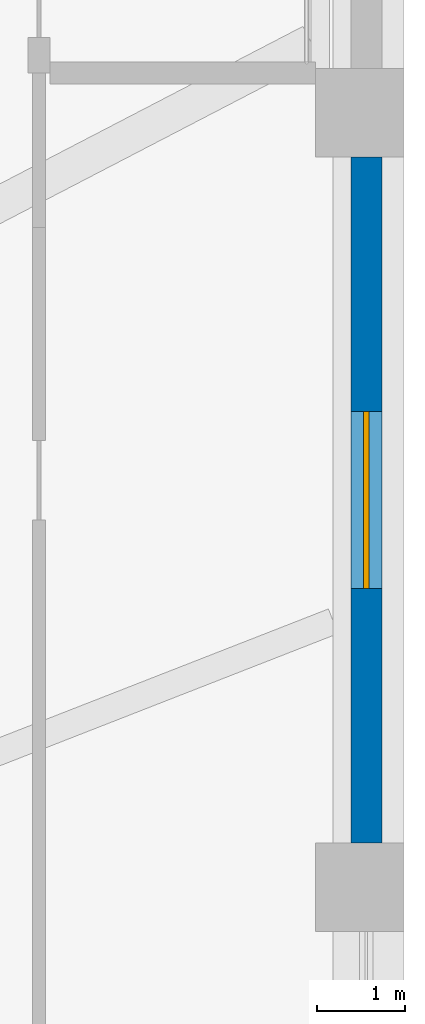
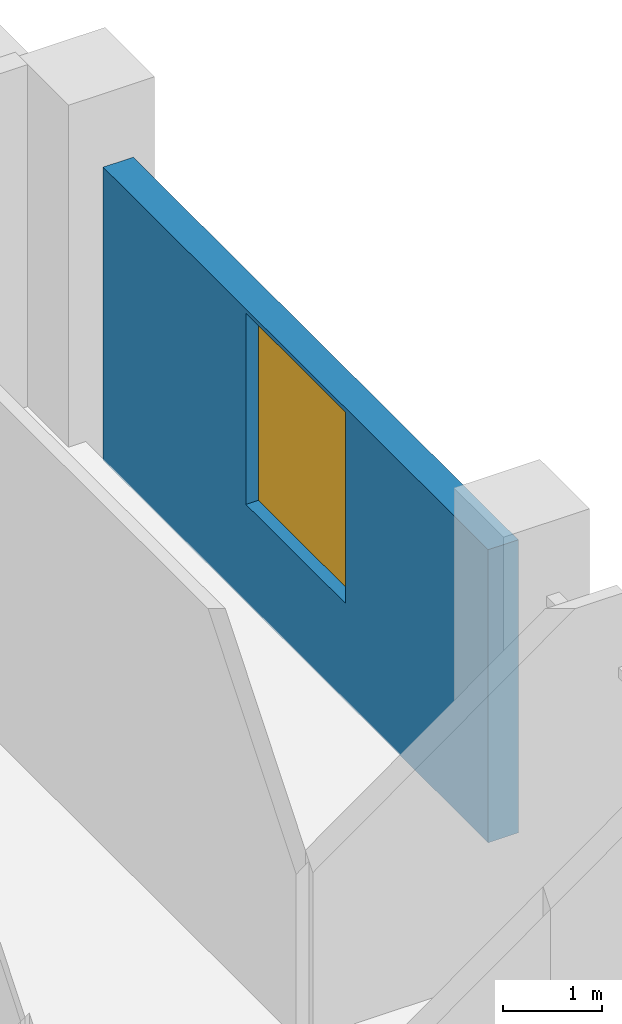
# One storey, part 21 of 29: 1 wall, 1 window, 1 opening.
"""IFC4 building model written with IfcOpenShell, lengths in metres."""

from ifc_helpers import new_model, si_unit, direction, frame, frame_2d, origin, place, context, subcontext, project, spatial, rectangle, extrude, material, layer, layer_set, type_object, element, fill, save


model = new_model("IFC4")

# Units and contexts
model_context = context("Model", 3, precision=1e-05, world=origin(), true_north=direction((0.0, 1.0)))
body_context = subcontext(model_context, "Body", "Model", "MODEL_VIEW")
ifc_project = project(units=[si_unit("LENGTHUNIT", "METRE"), si_unit("AREAUNIT", "SQUARE_METRE"), si_unit("VOLUMEUNIT", "CUBIC_METRE"), si_unit("PLANEANGLEUNIT", "RADIAN"), si_unit("MASSUNIT", "GRAM", prefix="KILO")], contexts=[model_context])

# Site, building, storey
site_placement = place(None, origin())
site = spatial("IfcSite", under=ifc_project, at=site_placement, CompositionType="ELEMENT")
building_placement = place(site_placement, origin())
building = spatial("IfcBuilding", under=site, at=building_placement, Name="Isthmus Gate Tower", CompositionType="ELEMENT")
storey_placement = place(building_placement, frame((0.0, 0.0, 27.0)))
storey = spatial("IfcBuildingStorey", under=building, at=storey_placement, Name="L04", CompositionType="ELEMENT", Elevation=27.0)

# Wall, opening, window
ifc_material_1 = material(Name="Precast concrete C40/50, limestone-faced", Category="masonry")
ifc_layer = layer(ifc_material_1, 0.35009765625)
ifc_layer_set = layer_set([ifc_layer], Name="PODIUM CLADDING WALL 350")
wall_type = type_object("IfcWallType", Name="PODIUM CLADDING WALL 350", PredefinedType="SOLIDWALL", material=ifc_layer_set)
wall_placement = place(storey_placement, frame((51.574951171875, 18.0, -0.300048828125), z_axis=(0.0, 0.0, 1.0), x_axis=(0.0, 1.0, 0.0)))
wall = element("IfcWall", 1, at=wall_placement, inside=storey, type_object=wall_type, Name="PODIUM WALL", PredefinedType="SOLIDWALL", context=body_context, shape_type="SweptSolid", body=[
    extrude(rectangle(XDim=7.75, YDim=0.35009765625, at=frame_2d((3.875, 0.0))), origin(), (0.0, 0.0, 1.0), 3.60009765625),
])
opening_placement = place(wall_placement, frame((2.875, 0.0, 1.199951171875)))
opening = element("IfcOpeningElement", 2, at=opening_placement, cuts=wall, Name="Opening W075", PredefinedType="OPENING", context=body_context, shape_type="SweptSolid", body=[
    extrude(rectangle(XDim=2.0, YDim=2.35009765625, at=frame_2d((1.0, 1.175048828125))), frame((0.0, 0.18505859375, 0.0), z_axis=(0.0, -1.0, 0.0), x_axis=(1.0, 0.0, 0.0)), (0.0, 0.0, 1.0), 0.3701171875),
])
ifc_material_2 = material(Name="Aluminium, pale champagne anodised, laminated glass", Category="aluminium")
window_type = type_object("IfcWindowType", Name="PODIUM SLOT WINDOW 2000 X 2350", PartitioningType="SINGLE_PANEL", PredefinedType="WINDOW", material=ifc_material_2)
window_placement = place(opening_placement, origin())
window = element("IfcWindow", 3, at=window_placement, inside=storey, type_object=window_type, Name="SLOT WINDOW", OverallHeight=2.35009765625, OverallWidth=2.0, PartitioningType="SINGLE_PANEL", PredefinedType="WINDOW", context=body_context, shape_type="SweptSolid", body=[
    extrude(rectangle(XDim=2.0, YDim=2.35009765625, at=frame_2d((1.0, 1.175048828125))), frame((0.0, 0.030029296875, 0.0), z_axis=(0.0, -1.0, 0.0), x_axis=(1.0, 0.0, 0.0)), (0.0, 0.0, 1.0), 0.06005859375),
])
fill(opening, window)

save(model, "model.ifc")
